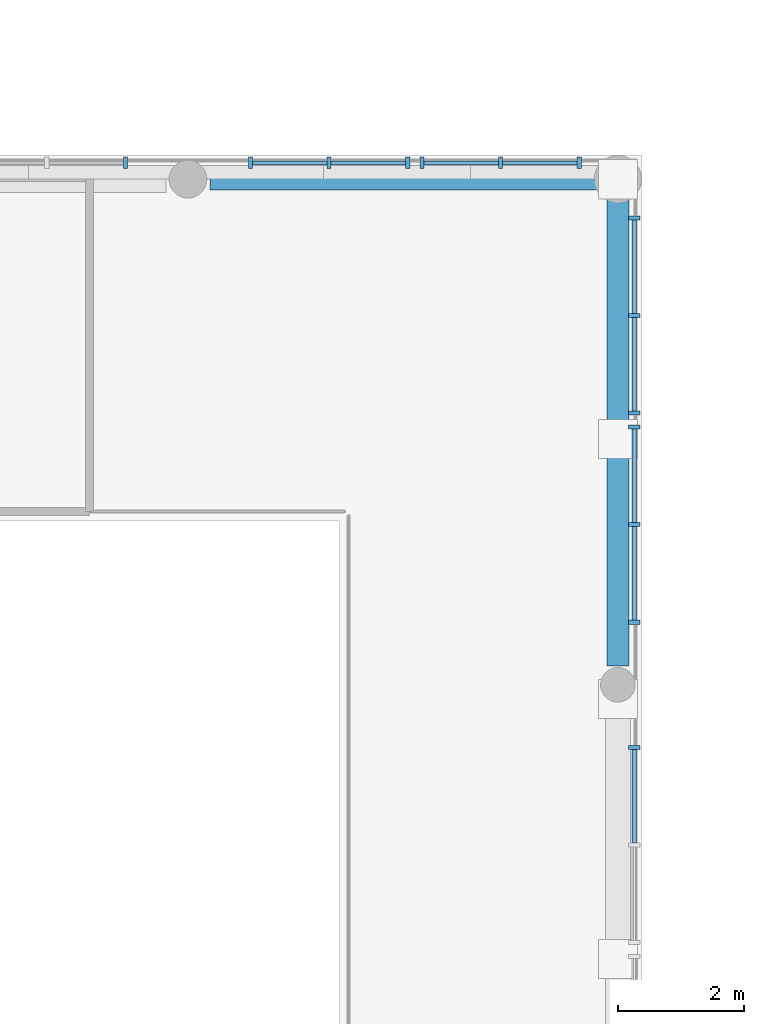
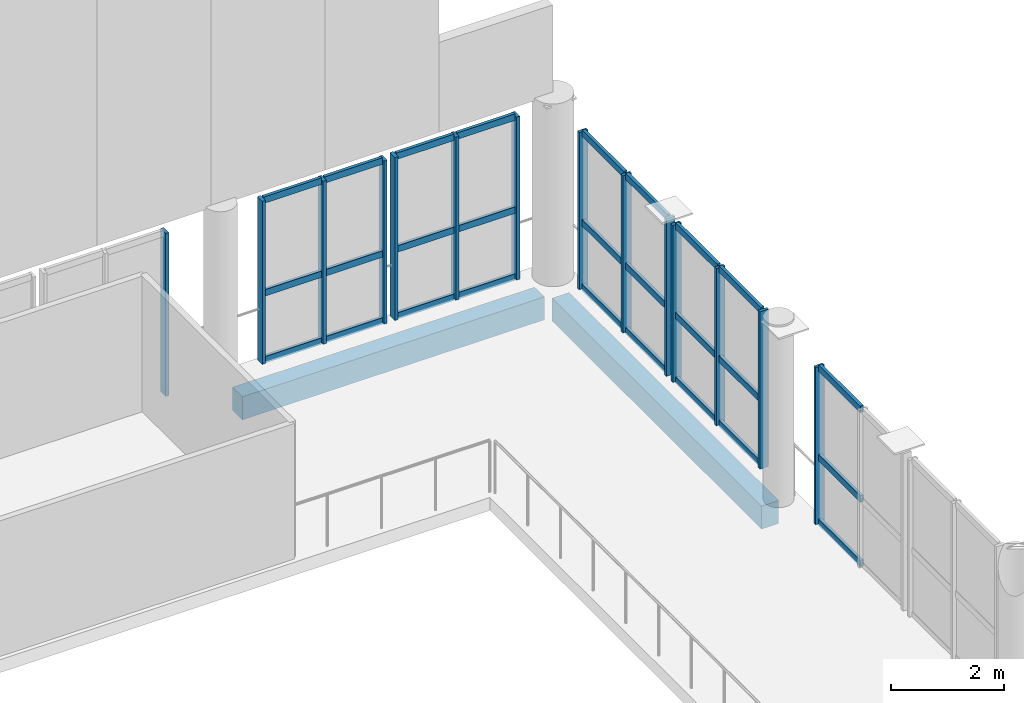
# One storey, part 28 of 76: 41 members, 2 beams, 6 elements without a shape of their own.
"""IFC4 building model written with IfcOpenShell, lengths in metres."""

import ifcopenshell
import ifcopenshell.guid

model = None  # the IFC model being written
_history = None  # IfcOwnerHistory: only IFC2X3 demands one
_inside = {}  # id of a spatial element -> (the spatial element, [elements in it])
_under = {}  # id of a project, library or spatial element -> (it, [spatial elements below it])
_declared = {}  # id of a project -> (the project, [libraries it declares])
_typed = {}  # id of a type object -> (the type object, [elements of that type])
_made_of = {}  # id of a material, layer set ... -> (it, [elements and type objects made of it])


def new_model(schema):
    """Start an empty IFC model of exactly this schema.

    Asked for "IFC4X3", IfcOpenShell would pick the latest addendum, in which some entities
    have other attributes; the version numbers below select the first issue.
    IFC2X3 requires an IfcOwnerHistory on every rooted entity: one is made here for all.
    """
    global model, _history
    if schema == "IFC4X3":
        model = ifcopenshell.file(schema_version=(4, 3, 0, 0))
    else:
        model = ifcopenshell.file(schema=schema)
    _inside.clear()
    _under.clear()
    _declared.clear()
    _typed.clear()
    _made_of.clear()
    _history = None
    if model.schema == "IFC2X3":
        org = make("IfcOrganization", Name="unknown")
        user = make(
            "IfcPersonAndOrganization",
            ThePerson=make("IfcPerson", FamilyName="unknown"),
            TheOrganization=org,
        )
        app = make(
            "IfcApplication",
            ApplicationDeveloper=org,
            Version="unknown",
            ApplicationFullName="unknown",
            ApplicationIdentifier="unknown",
        )
        _history = make(
            "IfcOwnerHistory",
            OwningUser=user,
            OwningApplication=app,
            ChangeAction="ADDED",
            CreationDate=0,
        )
    return model


def make(cls, **values):
    """One entity of the class cls with the attributes given. An attribute that is None is left unset."""
    return model.create_entity(
        cls, **{name: value for name, value in values.items() if value is not None}
    )


def rooted(cls, **values):
    """An entity with a GlobalId (a new one), such as an element, a storey or a relation."""
    return make(cls, GlobalId=ifcopenshell.guid.new(), OwnerHistory=_history, **values)


def si_unit(unit_type, name, prefix=None):
    """IfcSIUnit, for example si_unit("LENGTHUNIT", "METRE", prefix="MILLI")."""
    return make("IfcSIUnit", UnitType=unit_type, Prefix=prefix, Name=name)


def assignment(units):
    """IfcUnitAssignment: the units of a project."""
    return None if units is None else make("IfcUnitAssignment", Units=units)


def point(xyz):
    """IfcCartesianPoint."""
    return None if xyz is None else make("IfcCartesianPoint", Coordinates=xyz)


def direction(xyz):
    """IfcDirection."""
    return None if xyz is None else make("IfcDirection", DirectionRatios=xyz)


def frame(location, z_axis=None, x_axis=None):
    """IfcAxis2Placement3D, a coordinate frame: its origin and axes. An axis left out is left unset."""
    return make(
        "IfcAxis2Placement3D",
        Location=point(location),
        Axis=direction(z_axis),
        RefDirection=direction(x_axis),
    )


def frame_2d(location, x_axis=None):
    """IfcAxis2Placement2D, a coordinate frame in the plane: its origin and x axis."""
    return make(
        "IfcAxis2Placement2D", Location=point(location), RefDirection=direction(x_axis)
    )


def origin():
    """The frame at (0, 0, 0) with its axes left unset."""
    return frame((0.0, 0.0, 0.0))


def origin_2d():
    """The frame at (0, 0) in the plane with its x axis left unset."""
    return frame_2d((0.0, 0.0))


def place(relative_to, where):
    """IfcLocalPlacement: puts the frame where relative to a parent placement (None: the world)."""
    return make(
        "IfcLocalPlacement", PlacementRelTo=relative_to, RelativePlacement=where
    )


def context(
    kind, dimensions, precision=None, world=None, true_north=None, identifier=None
):
    """IfcGeometricRepresentationContext, for example the 3D "Model" context."""
    return make(
        "IfcGeometricRepresentationContext",
        ContextIdentifier=identifier,
        ContextType=kind,
        CoordinateSpaceDimension=dimensions,
        Precision=precision,
        WorldCoordinateSystem=world,
        TrueNorth=true_north,
    )


def subcontext(parent, identifier, kind, view, scale=None):
    """IfcGeometricRepresentationSubContext, for example "Body" below "Model"."""
    return make(
        "IfcGeometricRepresentationSubContext",
        ContextIdentifier=identifier,
        ContextType=kind,
        ParentContext=parent,
        TargetScale=scale,
        TargetView=view,
    )


def project(units=None, contexts=None):
    """IfcProject with its units and contexts."""
    return rooted(
        "IfcProject",
        Name="project",
        RepresentationContexts=contexts,
        UnitsInContext=assignment(units),
    )


def spatial(cls, under=None, at=None, **own):
    """A site, building, storey or space (cls), placed at a placement, below another one or the project."""
    s = rooted(cls, ObjectPlacement=at, **own)
    if under is not None:
        _under.setdefault(under.id(), (under, []))[1].append(s)
    return s


def profile(cls, at=None, kind="AREA", **sizes):
    """A parametric profile (cls). Its sizes go by their IFC names, for example OverallWidth=200.0."""
    return make(cls, ProfileType=kind, Position=at, **sizes)


def rectangle(**sizes):
    """IfcRectangleProfileDef."""
    return profile("IfcRectangleProfileDef", **sizes)


def extrude(swept, where, along, depth):
    """IfcExtrudedAreaSolid: the profile swept, set in the frame where, extruded along a direction by depth."""
    return make(
        "IfcExtrudedAreaSolid",
        SweptArea=swept,
        Position=where,
        ExtrudedDirection=direction(along),
        Depth=depth,
    )


def shape(context_of_items, identifier, shape_type, items):
    """IfcShapeRepresentation: the items that make up one representation, for example the "Body"."""
    return make(
        "IfcShapeRepresentation",
        ContextOfItems=context_of_items,
        RepresentationIdentifier=identifier,
        RepresentationType=shape_type,
        Items=items,
    )


def material(Name=None, Category=None):
    """IfcMaterial."""
    return make("IfcMaterial", Name=Name, Category=Category)


def layer(
    of_material, thickness, ventilated=None, Name=None, Category=None, Priority=None
):
    """IfcMaterialLayer: one layer of a wall or slab, of a material (None: an air gap)."""
    return make(
        "IfcMaterialLayer",
        Material=of_material,
        LayerThickness=thickness,
        IsVentilated=ventilated,
        Name=Name,
        Category=Category,
        Priority=Priority,
    )


def layer_set(layers, Name=None):
    """IfcMaterialLayerSet."""
    return make("IfcMaterialLayerSet", MaterialLayers=layers, LayerSetName=Name)


def material_profile(
    of_material, cross_section, Name=None, Category=None, Priority=None
):
    """IfcMaterialProfile: a cross section and its material."""
    return make(
        "IfcMaterialProfile",
        Name=Name,
        Material=of_material,
        Profile=cross_section,
        Priority=Priority,
        Category=Category,
    )


def profile_set(profiles, Name=None, composite=None):
    """IfcMaterialProfileSet."""
    return make(
        "IfcMaterialProfileSet",
        Name=Name,
        MaterialProfiles=profiles,
        CompositeProfile=composite,
    )


def made_of(thing, what):
    """Note that an element or type object is made of a material, layer set ...; save() writes the relation."""
    if what is not None:
        _made_of.setdefault(what.id(), (what, []))[1].append(thing)
    return thing


def type_object(cls, material=None, **own):
    """A type object (cls), such as IfcWallType, which elements share."""
    return made_of(rooted(cls, **own), material)


def element(
    cls,
    number,
    at=None,
    inside=None,
    cuts=None,
    type_object=None,
    material=None,
    context=None,
    identifier="Body",
    shape_type=None,
    held_by="IfcProductDefinitionShape",
    body=None,
    shapes=None,
    **own,
):
    """One element of the class cls, such as IfcWall. Its Tag is "e" and its number.

    at: its placement. inside: the storey or other place that contains it. cuts: it is an
    opening in that element (IfcRelVoidsElement). A single representation is given by context,
    identifier, shape_type and body (its items); several are given by shapes. held_by: the class
    of the entity that holds the representations. save() writes the other relations.
    """
    e = rooted(cls, Tag="e%d" % number, ObjectPlacement=at, **own)
    if body is not None:
        shapes = [shape(context, identifier, shape_type, body)]
    if shapes is not None:
        e.Representation = make(held_by, Representations=shapes)
    if inside is not None:
        _inside.setdefault(inside.id(), (inside, []))[1].append(e)
    if cuts is not None:
        rooted(
            "IfcRelVoidsElement", RelatingBuildingElement=cuts, RelatedOpeningElement=e
        )
    if type_object is not None:
        _typed.setdefault(type_object.id(), (type_object, []))[1].append(e)
    return made_of(e, material)


def aggregate(whole, parts):
    """IfcRelAggregates: a whole, such as a stair, and the parts it consists of."""
    return rooted("IfcRelAggregates", RelatingObject=whole, RelatedObjects=parts)


def save(model, path):
    """Write the relations noted so far, then the file.

    IfcRelAggregates (storeys below a building ...), IfcRelContainedInSpatialStructure (elements
    in a storey), IfcRelDefinesByType, IfcRelAssociatesMaterial and IfcRelDeclares: one each for
    every whole, place, type object, material and project.
    """
    for whole, parts in _under.values():
        aggregate(whole, parts)
    for where, things in _inside.values():
        rooted(
            "IfcRelContainedInSpatialStructure",
            RelatedElements=things,
            RelatingStructure=where,
        )
    for kind, things in _typed.values():
        rooted("IfcRelDefinesByType", RelatedObjects=things, RelatingType=kind)
    for what, things in _made_of.values():
        rooted("IfcRelAssociatesMaterial", RelatedObjects=things, RelatingMaterial=what)
    for by, libraries in _declared.values():
        rooted("IfcRelDeclares", RelatingContext=by, RelatedDefinitions=libraries)
    model.write(path)


model = new_model("IFC4")

# Units and contexts
model_context = context("Model", 3, precision=1e-05, world=origin(), true_north=direction((0.0, 1.0)))
body_context = subcontext(model_context, "Body", "Model", "MODEL_VIEW")
ifc_project = project(units=[si_unit("LENGTHUNIT", "METRE"), si_unit("AREAUNIT", "SQUARE_METRE"), si_unit("VOLUMEUNIT", "CUBIC_METRE"), si_unit("PLANEANGLEUNIT", "RADIAN"), si_unit("MASSUNIT", "GRAM", prefix="KILO")], contexts=[model_context])

# Site, building, storey
site_placement = place(None, origin())
site = spatial("IfcSite", under=ifc_project, at=site_placement, CompositionType="ELEMENT")
building_placement = place(site_placement, origin())
building = spatial("IfcBuilding", under=site, at=building_placement, Name="Vardoun Plaza Health Centre", CompositionType="ELEMENT")
storey_placement = place(building_placement, frame((0.0, 0.0, 4.5)))
storey = spatial("IfcBuildingStorey", under=building, at=storey_placement, Name="L01", CompositionType="ELEMENT", Elevation=4.5)

# Beams
ifc_material_1 = material(Name="Concrete C35/45", Category="concrete")
ifc_material_profile_1 = material_profile(ifc_material_1, rectangle(XDim=0.35009765625, YDim=0.5, at=origin_2d()), Name="RC-BM 350x500")
ifc_profile_set_1 = profile_set([ifc_material_profile_1], Name="Concrete C35/45")
beam_type = type_object("IfcBeamType", Name="B-08", PredefinedType="SPANDREL", material=ifc_profile_set_1)
beam_1_placement = place(storey_placement, frame((69.830078125, 77.919921875, -0.530029296875), z_axis=(1.0, 0.0, 0.0), x_axis=(0.0, 1.0, 0.0)))
element("IfcBeam", 1, at=beam_1_placement, inside=storey, type_object=beam_type, Name="V1 L01 Beam B-V1-L01-X08", PredefinedType="SPANDREL", context=body_context, shape_type="SweptSolid", body=[
    extrude(rectangle(XDim=0.35009765625, YDim=0.5, at=origin_2d()), origin(), (0.0, 0.0, 1.0), 6.195068359375),
])
beam_2_placement = place(storey_placement, frame((76.300048828125, 70.199951171875, -0.530029296875), z_axis=(0.0, 1.0, 0.0), x_axis=(-1.0, 0.0, 0.0)))
element("IfcBeam", 2, at=beam_2_placement, inside=storey, type_object=beam_type, Name="V1 L01 Beam B-V1-L01-Y18", PredefinedType="SPANDREL", context=body_context, shape_type="SweptSolid", body=[
    extrude(rectangle(XDim=0.35009765625, YDim=0.5, at=origin_2d()), origin(), (0.0, 0.0, 1.0), 7.445068359375),
])

# Curtain wall, member
ifc_material_2 = material(Name="Aluminium Alloy EN AW-6063-T6 and Low-E Glass", Category="aluminium")
ifc_layer = layer(ifc_material_2, 0.179931640625)
ifc_layer_set = layer_set([ifc_layer], Name="Aluminium Alloy EN AW-6063-T6 and Low-E Glass")
curtain_wall_type = type_object("IfcCurtainWallType", Name="CW-01", PredefinedType="USERDEFINED", material=ifc_layer_set)
curtain_wall_1_placement = place(storey_placement, origin())
curtain_wall_1 = element("IfcCurtainWall", 3, at=curtain_wall_1_placement, inside=storey, type_object=curtain_wall_type, Name="Curtain Wall CW-V1-020", ObjectType="CONCOURSE_CURTAIN_WALL", PredefinedType="USERDEFINED")
ifc_material_3 = material(Name="Aluminium Alloy EN AW-6063-T6", Category="aluminium")
ifc_material_profile_2 = material_profile(ifc_material_3, rectangle(XDim=0.179931640625, YDim=0.06494140625, at=origin_2d()), Name="CWM 65x180")
ifc_profile_set_2 = profile_set([ifc_material_profile_2], Name="Aluminium Alloy EN AW-6063-T6")
member_type_1 = type_object("IfcMemberType", Name="CW-M2", PredefinedType="MULLION", material=ifc_profile_set_2)
member_1_placement = place(storey_placement, frame((68.487548828125, 78.179931640625, 0.0), z_axis=(0.0, 0.0, 1.0), x_axis=(0.0, 1.0, 0.0)))
member_1 = element("IfcMember", 4, at=member_1_placement, type_object=member_type_1, Name="CW-V1-020 mullion 3", PredefinedType="MULLION", context=body_context, shape_type="SweptSolid", body=[
    extrude(rectangle(XDim=0.179931640625, YDim=0.06494140625, at=origin_2d()), origin(), (0.0, 0.0, 1.0), 3.534912109375),
])
aggregate(curtain_wall_1, [member_1])

# Curtain wall, members
curtain_wall_2_placement = place(storey_placement, origin())
curtain_wall_2 = element("IfcCurtainWall", 5, at=curtain_wall_2_placement, inside=storey, type_object=curtain_wall_type, Name="Curtain Wall CW-V1-021", ObjectType="CONCOURSE_CURTAIN_WALL", PredefinedType="USERDEFINED")
member_2_placement = place(storey_placement, frame((70.472412109375, 78.179931640625, 0.0), z_axis=(0.0, 0.0, 1.0), x_axis=(0.0, 1.0, 0.0)))
member_2 = element("IfcMember", 6, at=member_2_placement, type_object=member_type_1, Name="CW-V1-021 mullion 1", PredefinedType="MULLION", context=body_context, shape_type="SweptSolid", body=[
    extrude(rectangle(XDim=0.179931640625, YDim=0.06494140625, at=origin_2d()), origin(), (0.0, 0.0, 1.0), 3.534912109375),
])
member_3_placement = place(storey_placement, frame((71.719970703125, 78.179931640625, 0.0), z_axis=(0.0, 0.0, 1.0), x_axis=(0.0, 1.0, 0.0)))
member_3 = element("IfcMember", 7, at=member_3_placement, type_object=member_type_1, Name="CW-V1-021 mullion 2", PredefinedType="MULLION", context=body_context, shape_type="SweptSolid", body=[
    extrude(rectangle(XDim=0.179931640625, YDim=0.06494140625, at=origin_2d()), origin(), (0.0, 0.0, 1.0), 3.534912109375),
])
member_4_placement = place(storey_placement, frame((72.967529296875, 78.179931640625, 0.0), z_axis=(0.0, 0.0, 1.0), x_axis=(0.0, 1.0, 0.0)))
member_4 = element("IfcMember", 8, at=member_4_placement, type_object=member_type_1, Name="CW-V1-021 mullion 3", PredefinedType="MULLION", context=body_context, shape_type="SweptSolid", body=[
    extrude(rectangle(XDim=0.179931640625, YDim=0.06494140625, at=origin_2d()), origin(), (0.0, 0.0, 1.0), 3.534912109375),
])

curtain_wall_3_placement = place(storey_placement, origin())
curtain_wall_3 = element("IfcCurtainWall", 9, at=curtain_wall_3_placement, inside=storey, type_object=curtain_wall_type, Name="Curtain Wall CW-V1-022", ObjectType="CONCOURSE_CURTAIN_WALL", PredefinedType="USERDEFINED")
member_5_placement = place(storey_placement, frame((73.1923828125, 78.179931640625, 0.0), z_axis=(0.0, 0.0, 1.0), x_axis=(0.0, 1.0, 0.0)))
member_5 = element("IfcMember", 10, at=member_5_placement, type_object=member_type_1, Name="CW-V1-022 mullion 1", PredefinedType="MULLION", context=body_context, shape_type="SweptSolid", body=[
    extrude(rectangle(XDim=0.179931640625, YDim=0.06494140625, at=origin_2d()), origin(), (0.0, 0.0, 1.0), 3.534912109375),
])
member_6_placement = place(storey_placement, frame((74.440185546875, 78.179931640625, 0.0), z_axis=(0.0, 0.0, 1.0), x_axis=(0.0, 1.0, 0.0)))
member_6 = element("IfcMember", 11, at=member_6_placement, type_object=member_type_1, Name="CW-V1-022 mullion 2", PredefinedType="MULLION", context=body_context, shape_type="SweptSolid", body=[
    extrude(rectangle(XDim=0.179931640625, YDim=0.06494140625, at=origin_2d()), origin(), (0.0, 0.0, 1.0), 3.534912109375),
])
member_7_placement = place(storey_placement, frame((75.6875, 78.179931640625, 0.0), z_axis=(0.0, 0.0, 1.0), x_axis=(0.0, 1.0, 0.0)))
member_7 = element("IfcMember", 12, at=member_7_placement, type_object=member_type_1, Name="CW-V1-022 mullion 3", PredefinedType="MULLION", context=body_context, shape_type="SweptSolid", body=[
    extrude(rectangle(XDim=0.179931640625, YDim=0.06494140625, at=origin_2d()), origin(), (0.0, 0.0, 1.0), 3.534912109375),
])

curtain_wall_4_placement = place(storey_placement, origin())
curtain_wall_4 = element("IfcCurtainWall", 13, at=curtain_wall_4_placement, inside=storey, type_object=curtain_wall_type, Name="Curtain Wall CW-V1-023", ObjectType="CONCOURSE_CURTAIN_WALL", PredefinedType="USERDEFINED")
member_8_placement = place(storey_placement, frame((76.56005859375, 77.3076171875, 0.0), z_axis=(0.0, 0.0, 1.0), x_axis=(1.0, 0.0, 0.0)))
member_8 = element("IfcMember", 14, at=member_8_placement, type_object=member_type_1, Name="CW-V1-023 mullion 1", PredefinedType="MULLION", context=body_context, shape_type="SweptSolid", body=[
    extrude(rectangle(XDim=0.179931640625, YDim=0.06494140625, at=origin_2d()), origin(), (0.0, 0.0, 1.0), 3.409912109375),
])
member_9_placement = place(storey_placement, frame((76.56005859375, 75.760009765625, 0.0), z_axis=(0.0, 0.0, 1.0), x_axis=(1.0, 0.0, 0.0)))
member_9 = element("IfcMember", 15, at=member_9_placement, type_object=member_type_1, Name="CW-V1-023 mullion 2", PredefinedType="MULLION", context=body_context, shape_type="SweptSolid", body=[
    extrude(rectangle(XDim=0.179931640625, YDim=0.06494140625, at=origin_2d()), origin(), (0.0, 0.0, 1.0), 3.409912109375),
])
member_10_placement = place(storey_placement, frame((76.56005859375, 74.212646484375, 0.0), z_axis=(0.0, 0.0, 1.0), x_axis=(1.0, 0.0, 0.0)))
member_10 = element("IfcMember", 16, at=member_10_placement, type_object=member_type_1, Name="CW-V1-023 mullion 3", PredefinedType="MULLION", context=body_context, shape_type="SweptSolid", body=[
    extrude(rectangle(XDim=0.179931640625, YDim=0.06494140625, at=origin_2d()), origin(), (0.0, 0.0, 1.0), 3.409912109375),
])

curtain_wall_5_placement = place(storey_placement, origin())
curtain_wall_5 = element("IfcCurtainWall", 17, at=curtain_wall_5_placement, inside=storey, type_object=curtain_wall_type, Name="Curtain Wall CW-V1-024", ObjectType="CONCOURSE_CURTAIN_WALL", PredefinedType="USERDEFINED")
member_11_placement = place(storey_placement, frame((76.56005859375, 73.987548828125, 0.0), z_axis=(0.0, 0.0, 1.0), x_axis=(1.0, 0.0, 0.0)))
member_11 = element("IfcMember", 18, at=member_11_placement, type_object=member_type_1, Name="CW-V1-024 mullion 1", PredefinedType="MULLION", context=body_context, shape_type="SweptSolid", body=[
    extrude(rectangle(XDim=0.179931640625, YDim=0.06494140625, at=origin_2d()), origin(), (0.0, 0.0, 1.0), 3.409912109375),
])
member_12_placement = place(storey_placement, frame((76.56005859375, 72.440185546875, 0.0), z_axis=(0.0, 0.0, 1.0), x_axis=(1.0, 0.0, 0.0)))
member_12 = element("IfcMember", 19, at=member_12_placement, type_object=member_type_1, Name="CW-V1-024 mullion 2", PredefinedType="MULLION", context=body_context, shape_type="SweptSolid", body=[
    extrude(rectangle(XDim=0.179931640625, YDim=0.06494140625, at=origin_2d()), origin(), (0.0, 0.0, 1.0), 3.409912109375),
])
member_13_placement = place(storey_placement, frame((76.56005859375, 70.892578125, 0.0), z_axis=(0.0, 0.0, 1.0), x_axis=(1.0, 0.0, 0.0)))
member_13 = element("IfcMember", 20, at=member_13_placement, type_object=member_type_1, Name="CW-V1-024 mullion 3", PredefinedType="MULLION", context=body_context, shape_type="SweptSolid", body=[
    extrude(rectangle(XDim=0.179931640625, YDim=0.06494140625, at=origin_2d()), origin(), (0.0, 0.0, 1.0), 3.409912109375),
])

# Curtain wall, member
curtain_wall_6_placement = place(storey_placement, origin())
curtain_wall_6 = element("IfcCurtainWall", 21, at=curtain_wall_6_placement, inside=storey, type_object=curtain_wall_type, Name="Curtain Wall CW-V1-025", ObjectType="CONCOURSE_CURTAIN_WALL", PredefinedType="USERDEFINED")
member_14_placement = place(storey_placement, frame((76.56005859375, 68.907470703125, 0.0), z_axis=(0.0, 0.0, 1.0), x_axis=(1.0, 0.0, 0.0)))
member_14 = element("IfcMember", 22, at=member_14_placement, type_object=member_type_1, Name="CW-V1-025 mullion 1", PredefinedType="MULLION", context=body_context, shape_type="SweptSolid", body=[
    extrude(rectangle(XDim=0.179931640625, YDim=0.06494140625, at=origin_2d()), origin(), (0.0, 0.0, 1.0), 3.409912109375),
])

# Member
ifc_material_4 = material(Name="Aluminium Alloy EN AW-6063-T6", Category="aluminium")
ifc_material_profile_3 = material_profile(ifc_material_4, rectangle(XDim=0.06494140625, YDim=0.139892578125, at=origin_2d()), Name="CWT 65x140")
ifc_profile_set_3 = profile_set([ifc_material_profile_3], Name="Aluminium Alloy EN AW-6063-T6")
member_type_2 = type_object("IfcMemberType", Name="CW-T2", PredefinedType="USERDEFINED", material=ifc_profile_set_3)
member_15_placement = place(storey_placement, frame((70.5048828125, 78.179931640625, 0.032470703125), z_axis=(1.0, 0.0, 0.0), x_axis=(0.0, 1.0, 0.0)))
member_15 = element("IfcMember", 23, at=member_15_placement, type_object=member_type_2, Name="CW-V1-021 transom 1.1", ObjectType="TRANSOM", PredefinedType="USERDEFINED", context=body_context, shape_type="SweptSolid", body=[
    extrude(rectangle(XDim=0.06494140625, YDim=0.139892578125, at=origin_2d()), origin(), (0.0, 0.0, 1.0), 1.1826171875),
])

member_16_placement = place(storey_placement, frame((70.5048828125, 78.179931640625, 1.484619140625), z_axis=(1.0, 0.0, 0.0), x_axis=(0.0, 1.0, 0.0)))
member_16 = element("IfcMember", 24, at=member_16_placement, type_object=member_type_2, Name="CW-V1-021 transom 1.2", ObjectType="TRANSOM", PredefinedType="USERDEFINED", context=body_context, shape_type="SweptSolid", body=[
    extrude(rectangle(XDim=0.06494140625, YDim=0.139892578125, at=origin_2d()), origin(), (0.0, 0.0, 1.0), 1.1826171875),
])

member_17_placement = place(storey_placement, frame((70.5048828125, 78.179931640625, 3.50244140625), z_axis=(1.0, 0.0, 0.0), x_axis=(0.0, 1.0, 0.0)))
member_17 = element("IfcMember", 25, at=member_17_placement, type_object=member_type_2, Name="CW-V1-021 transom 1.3", ObjectType="TRANSOM", PredefinedType="USERDEFINED", context=body_context, shape_type="SweptSolid", body=[
    extrude(rectangle(XDim=0.06494140625, YDim=0.139892578125, at=origin_2d()), origin(), (0.0, 0.0, 1.0), 1.1826171875),
])

member_18_placement = place(storey_placement, frame((71.752685546875, 78.179931640625, 0.032470703125), z_axis=(1.0, 0.0, 0.0), x_axis=(0.0, 1.0, 0.0)))
member_18 = element("IfcMember", 26, at=member_18_placement, type_object=member_type_2, Name="CW-V1-021 transom 2.1", ObjectType="TRANSOM", PredefinedType="USERDEFINED", context=body_context, shape_type="SweptSolid", body=[
    extrude(rectangle(XDim=0.06494140625, YDim=0.139892578125, at=origin_2d()), origin(), (0.0, 0.0, 1.0), 1.182373046875),
])

member_19_placement = place(storey_placement, frame((71.752685546875, 78.179931640625, 1.484619140625), z_axis=(1.0, 0.0, 0.0), x_axis=(0.0, 1.0, 0.0)))
member_19 = element("IfcMember", 27, at=member_19_placement, type_object=member_type_2, Name="CW-V1-021 transom 2.2", ObjectType="TRANSOM", PredefinedType="USERDEFINED", context=body_context, shape_type="SweptSolid", body=[
    extrude(rectangle(XDim=0.06494140625, YDim=0.139892578125, at=origin_2d()), origin(), (0.0, 0.0, 1.0), 1.182373046875),
])

member_20_placement = place(storey_placement, frame((71.752685546875, 78.179931640625, 3.50244140625), z_axis=(1.0, 0.0, 0.0), x_axis=(0.0, 1.0, 0.0)))
member_20 = element("IfcMember", 28, at=member_20_placement, type_object=member_type_2, Name="CW-V1-021 transom 2.3", ObjectType="TRANSOM", PredefinedType="USERDEFINED", context=body_context, shape_type="SweptSolid", body=[
    extrude(rectangle(XDim=0.06494140625, YDim=0.139892578125, at=origin_2d()), origin(), (0.0, 0.0, 1.0), 1.182373046875),
])

aggregate(curtain_wall_2, [member_2, member_3, member_4, member_15, member_16, member_17, member_18, member_19, member_20])

member_21_placement = place(storey_placement, frame((73.22509765625, 78.179931640625, 0.032470703125), z_axis=(1.0, 0.0, 0.0), x_axis=(0.0, 1.0, 0.0)))
member_21 = element("IfcMember", 29, at=member_21_placement, type_object=member_type_2, Name="CW-V1-022 transom 1.1", ObjectType="TRANSOM", PredefinedType="USERDEFINED", context=body_context, shape_type="SweptSolid", body=[
    extrude(rectangle(XDim=0.06494140625, YDim=0.139892578125, at=origin_2d()), origin(), (0.0, 0.0, 1.0), 1.182373046875),
])

member_22_placement = place(storey_placement, frame((73.22509765625, 78.179931640625, 1.484619140625), z_axis=(1.0, 0.0, 0.0), x_axis=(0.0, 1.0, 0.0)))
member_22 = element("IfcMember", 30, at=member_22_placement, type_object=member_type_2, Name="CW-V1-022 transom 1.2", ObjectType="TRANSOM", PredefinedType="USERDEFINED", context=body_context, shape_type="SweptSolid", body=[
    extrude(rectangle(XDim=0.06494140625, YDim=0.139892578125, at=origin_2d()), origin(), (0.0, 0.0, 1.0), 1.182373046875),
])

member_23_placement = place(storey_placement, frame((73.22509765625, 78.179931640625, 3.50244140625), z_axis=(1.0, 0.0, 0.0), x_axis=(0.0, 1.0, 0.0)))
member_23 = element("IfcMember", 31, at=member_23_placement, type_object=member_type_2, Name="CW-V1-022 transom 1.3", ObjectType="TRANSOM", PredefinedType="USERDEFINED", context=body_context, shape_type="SweptSolid", body=[
    extrude(rectangle(XDim=0.06494140625, YDim=0.139892578125, at=origin_2d()), origin(), (0.0, 0.0, 1.0), 1.182373046875),
])

member_24_placement = place(storey_placement, frame((74.472412109375, 78.179931640625, 0.032470703125), z_axis=(1.0, 0.0, 0.0), x_axis=(0.0, 1.0, 0.0)))
member_24 = element("IfcMember", 32, at=member_24_placement, type_object=member_type_2, Name="CW-V1-022 transom 2.1", ObjectType="TRANSOM", PredefinedType="USERDEFINED", context=body_context, shape_type="SweptSolid", body=[
    extrude(rectangle(XDim=0.06494140625, YDim=0.139892578125, at=origin_2d()), origin(), (0.0, 0.0, 1.0), 1.1826171875),
])

member_25_placement = place(storey_placement, frame((74.472412109375, 78.179931640625, 1.484619140625), z_axis=(1.0, 0.0, 0.0), x_axis=(0.0, 1.0, 0.0)))
member_25 = element("IfcMember", 33, at=member_25_placement, type_object=member_type_2, Name="CW-V1-022 transom 2.2", ObjectType="TRANSOM", PredefinedType="USERDEFINED", context=body_context, shape_type="SweptSolid", body=[
    extrude(rectangle(XDim=0.06494140625, YDim=0.139892578125, at=origin_2d()), origin(), (0.0, 0.0, 1.0), 1.1826171875),
])

member_26_placement = place(storey_placement, frame((74.472412109375, 78.179931640625, 3.50244140625), z_axis=(1.0, 0.0, 0.0), x_axis=(0.0, 1.0, 0.0)))
member_26 = element("IfcMember", 34, at=member_26_placement, type_object=member_type_2, Name="CW-V1-022 transom 2.3", ObjectType="TRANSOM", PredefinedType="USERDEFINED", context=body_context, shape_type="SweptSolid", body=[
    extrude(rectangle(XDim=0.06494140625, YDim=0.139892578125, at=origin_2d()), origin(), (0.0, 0.0, 1.0), 1.1826171875),
])

aggregate(curtain_wall_3, [member_5, member_6, member_7, member_21, member_22, member_23, member_24, member_25, member_26])

member_27_placement = place(storey_placement, frame((76.56005859375, 77.275146484375, 0.032470703125), z_axis=(0.0, -1.0, 0.0), x_axis=(1.0, 0.0, 0.0)))
member_27 = element("IfcMember", 35, at=member_27_placement, type_object=member_type_2, Name="CW-V1-023 transom 1.1", ObjectType="TRANSOM", PredefinedType="USERDEFINED", context=body_context, shape_type="SweptSolid", body=[
    extrude(rectangle(XDim=0.06494140625, YDim=0.139892578125, at=origin_2d()), origin(), (0.0, 0.0, 1.0), 1.482666015625),
])

member_28_placement = place(storey_placement, frame((76.56005859375, 77.275146484375, 1.43212890625), z_axis=(0.0, -1.0, 0.0), x_axis=(1.0, 0.0, 0.0)))
member_28 = element("IfcMember", 36, at=member_28_placement, type_object=member_type_2, Name="CW-V1-023 transom 1.2", ObjectType="TRANSOM", PredefinedType="USERDEFINED", context=body_context, shape_type="SweptSolid", body=[
    extrude(rectangle(XDim=0.06494140625, YDim=0.139892578125, at=origin_2d()), origin(), (0.0, 0.0, 1.0), 1.482666015625),
])

member_29_placement = place(storey_placement, frame((76.56005859375, 77.275146484375, 3.37744140625), z_axis=(0.0, -1.0, 0.0), x_axis=(1.0, 0.0, 0.0)))
member_29 = element("IfcMember", 37, at=member_29_placement, type_object=member_type_2, Name="CW-V1-023 transom 1.3", ObjectType="TRANSOM", PredefinedType="USERDEFINED", context=body_context, shape_type="SweptSolid", body=[
    extrude(rectangle(XDim=0.06494140625, YDim=0.139892578125, at=origin_2d()), origin(), (0.0, 0.0, 1.0), 1.482666015625),
])

member_30_placement = place(storey_placement, frame((76.56005859375, 75.7275390625, 0.032470703125), z_axis=(0.0, -1.0, 0.0), x_axis=(1.0, 0.0, 0.0)))
member_30 = element("IfcMember", 38, at=member_30_placement, type_object=member_type_2, Name="CW-V1-023 transom 2.1", ObjectType="TRANSOM", PredefinedType="USERDEFINED", context=body_context, shape_type="SweptSolid", body=[
    extrude(rectangle(XDim=0.06494140625, YDim=0.139892578125, at=origin_2d()), origin(), (0.0, 0.0, 1.0), 1.482421875),
])

member_31_placement = place(storey_placement, frame((76.56005859375, 75.7275390625, 1.43212890625), z_axis=(0.0, -1.0, 0.0), x_axis=(1.0, 0.0, 0.0)))
member_31 = element("IfcMember", 39, at=member_31_placement, type_object=member_type_2, Name="CW-V1-023 transom 2.2", ObjectType="TRANSOM", PredefinedType="USERDEFINED", context=body_context, shape_type="SweptSolid", body=[
    extrude(rectangle(XDim=0.06494140625, YDim=0.139892578125, at=origin_2d()), origin(), (0.0, 0.0, 1.0), 1.482421875),
])

member_32_placement = place(storey_placement, frame((76.56005859375, 75.7275390625, 3.37744140625), z_axis=(0.0, -1.0, 0.0), x_axis=(1.0, 0.0, 0.0)))
member_32 = element("IfcMember", 40, at=member_32_placement, type_object=member_type_2, Name="CW-V1-023 transom 2.3", ObjectType="TRANSOM", PredefinedType="USERDEFINED", context=body_context, shape_type="SweptSolid", body=[
    extrude(rectangle(XDim=0.06494140625, YDim=0.139892578125, at=origin_2d()), origin(), (0.0, 0.0, 1.0), 1.482421875),
])

aggregate(curtain_wall_4, [member_8, member_9, member_10, member_27, member_28, member_29, member_30, member_31, member_32])

member_33_placement = place(storey_placement, frame((76.56005859375, 73.955078125, 0.032470703125), z_axis=(0.0, -1.0, 0.0), x_axis=(1.0, 0.0, 0.0)))
member_33 = element("IfcMember", 41, at=member_33_placement, type_object=member_type_2, Name="CW-V1-024 transom 1.1", ObjectType="TRANSOM", PredefinedType="USERDEFINED", context=body_context, shape_type="SweptSolid", body=[
    extrude(rectangle(XDim=0.06494140625, YDim=0.139892578125, at=origin_2d()), origin(), (0.0, 0.0, 1.0), 1.482666015625),
])

member_34_placement = place(storey_placement, frame((76.56005859375, 73.955078125, 1.43212890625), z_axis=(0.0, -1.0, 0.0), x_axis=(1.0, 0.0, 0.0)))
member_34 = element("IfcMember", 42, at=member_34_placement, type_object=member_type_2, Name="CW-V1-024 transom 1.2", ObjectType="TRANSOM", PredefinedType="USERDEFINED", context=body_context, shape_type="SweptSolid", body=[
    extrude(rectangle(XDim=0.06494140625, YDim=0.139892578125, at=origin_2d()), origin(), (0.0, 0.0, 1.0), 1.482666015625),
])

member_35_placement = place(storey_placement, frame((76.56005859375, 73.955078125, 3.37744140625), z_axis=(0.0, -1.0, 0.0), x_axis=(1.0, 0.0, 0.0)))
member_35 = element("IfcMember", 43, at=member_35_placement, type_object=member_type_2, Name="CW-V1-024 transom 1.3", ObjectType="TRANSOM", PredefinedType="USERDEFINED", context=body_context, shape_type="SweptSolid", body=[
    extrude(rectangle(XDim=0.06494140625, YDim=0.139892578125, at=origin_2d()), origin(), (0.0, 0.0, 1.0), 1.482666015625),
])

member_36_placement = place(storey_placement, frame((76.56005859375, 72.407470703125, 0.032470703125), z_axis=(0.0, -1.0, 0.0), x_axis=(1.0, 0.0, 0.0)))
member_36 = element("IfcMember", 44, at=member_36_placement, type_object=member_type_2, Name="CW-V1-024 transom 2.1", ObjectType="TRANSOM", PredefinedType="USERDEFINED", context=body_context, shape_type="SweptSolid", body=[
    extrude(rectangle(XDim=0.06494140625, YDim=0.139892578125, at=origin_2d()), origin(), (0.0, 0.0, 1.0), 1.482421875),
])

member_37_placement = place(storey_placement, frame((76.56005859375, 72.407470703125, 1.43212890625), z_axis=(0.0, -1.0, 0.0), x_axis=(1.0, 0.0, 0.0)))
member_37 = element("IfcMember", 45, at=member_37_placement, type_object=member_type_2, Name="CW-V1-024 transom 2.2", ObjectType="TRANSOM", PredefinedType="USERDEFINED", context=body_context, shape_type="SweptSolid", body=[
    extrude(rectangle(XDim=0.06494140625, YDim=0.139892578125, at=origin_2d()), origin(), (0.0, 0.0, 1.0), 1.482421875),
])

member_38_placement = place(storey_placement, frame((76.56005859375, 72.407470703125, 3.37744140625), z_axis=(0.0, -1.0, 0.0), x_axis=(1.0, 0.0, 0.0)))
member_38 = element("IfcMember", 46, at=member_38_placement, type_object=member_type_2, Name="CW-V1-024 transom 2.3", ObjectType="TRANSOM", PredefinedType="USERDEFINED", context=body_context, shape_type="SweptSolid", body=[
    extrude(rectangle(XDim=0.06494140625, YDim=0.139892578125, at=origin_2d()), origin(), (0.0, 0.0, 1.0), 1.482421875),
])

aggregate(curtain_wall_5, [member_11, member_12, member_13, member_33, member_34, member_35, member_36, member_37, member_38])

member_39_placement = place(storey_placement, frame((76.56005859375, 68.875, 0.032470703125), z_axis=(0.0, -1.0, 0.0), x_axis=(1.0, 0.0, 0.0)))
member_39 = element("IfcMember", 47, at=member_39_placement, type_object=member_type_2, Name="CW-V1-025 transom 1.1", ObjectType="TRANSOM", PredefinedType="USERDEFINED", context=body_context, shape_type="SweptSolid", body=[
    extrude(rectangle(XDim=0.06494140625, YDim=0.139892578125, at=origin_2d()), origin(), (0.0, 0.0, 1.0), 1.482421875),
])

member_40_placement = place(storey_placement, frame((76.56005859375, 68.875, 1.43212890625), z_axis=(0.0, -1.0, 0.0), x_axis=(1.0, 0.0, 0.0)))
member_40 = element("IfcMember", 48, at=member_40_placement, type_object=member_type_2, Name="CW-V1-025 transom 1.2", ObjectType="TRANSOM", PredefinedType="USERDEFINED", context=body_context, shape_type="SweptSolid", body=[
    extrude(rectangle(XDim=0.06494140625, YDim=0.139892578125, at=origin_2d()), origin(), (0.0, 0.0, 1.0), 1.482421875),
])

member_41_placement = place(storey_placement, frame((76.56005859375, 68.875, 3.37744140625), z_axis=(0.0, -1.0, 0.0), x_axis=(1.0, 0.0, 0.0)))
member_41 = element("IfcMember", 49, at=member_41_placement, type_object=member_type_2, Name="CW-V1-025 transom 1.3", ObjectType="TRANSOM", PredefinedType="USERDEFINED", context=body_context, shape_type="SweptSolid", body=[
    extrude(rectangle(XDim=0.06494140625, YDim=0.139892578125, at=origin_2d()), origin(), (0.0, 0.0, 1.0), 1.482421875),
])

aggregate(curtain_wall_6, [member_14, member_39, member_40, member_41])

save(model, "model.ifc")
